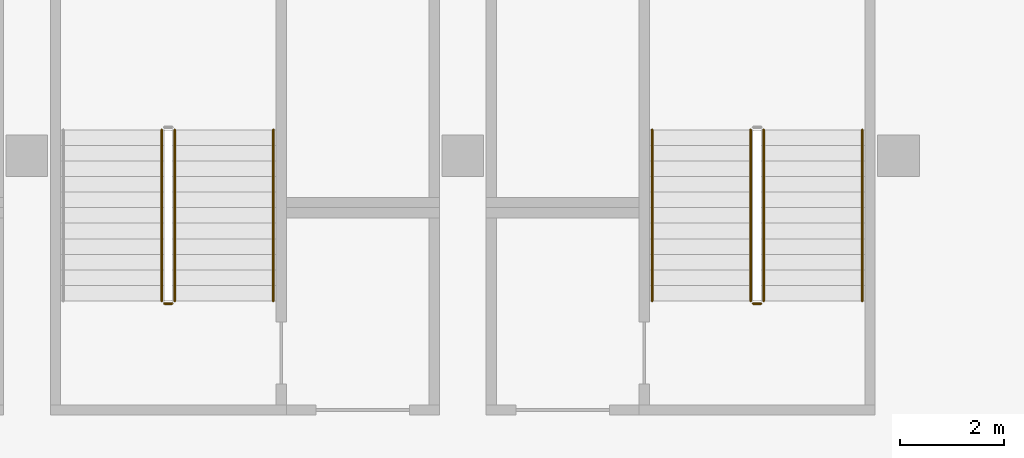
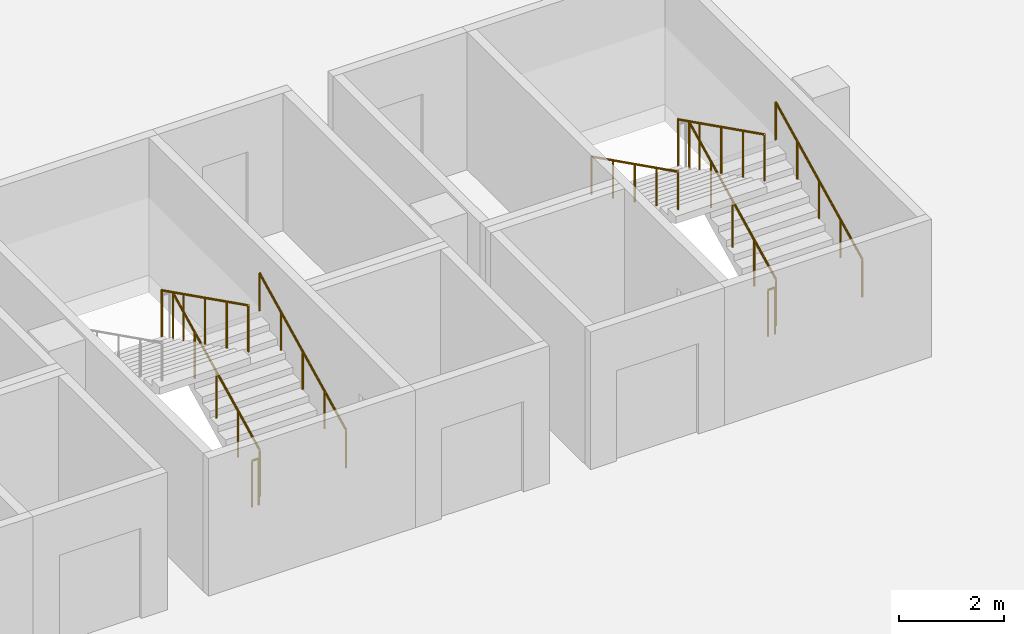
# One storey, part 28 of 37: 9 railings.
"""IFC4 building model written with IfcOpenShell, lengths in metres."""

import ifcopenshell
import ifcopenshell.guid

model = None  # the IFC model being written
_history = None  # IfcOwnerHistory: only IFC2X3 demands one
_inside = {}  # id of a spatial element -> (the spatial element, [elements in it])
_under = {}  # id of a project, library or spatial element -> (it, [spatial elements below it])
_declared = {}  # id of a project -> (the project, [libraries it declares])
_typed = {}  # id of a type object -> (the type object, [elements of that type])
_made_of = {}  # id of a material, layer set ... -> (it, [elements and type objects made of it])


def new_model(schema):
    """Start an empty IFC model of exactly this schema.

    Asked for "IFC4X3", IfcOpenShell would pick the latest addendum, in which some entities
    have other attributes; the version numbers below select the first issue.
    IFC2X3 requires an IfcOwnerHistory on every rooted entity: one is made here for all.
    """
    global model, _history
    if schema == "IFC4X3":
        model = ifcopenshell.file(schema_version=(4, 3, 0, 0))
    else:
        model = ifcopenshell.file(schema=schema)
    _inside.clear()
    _under.clear()
    _declared.clear()
    _typed.clear()
    _made_of.clear()
    _history = None
    if model.schema == "IFC2X3":
        org = make("IfcOrganization", Name="unknown")
        user = make(
            "IfcPersonAndOrganization",
            ThePerson=make("IfcPerson", FamilyName="unknown"),
            TheOrganization=org,
        )
        app = make(
            "IfcApplication",
            ApplicationDeveloper=org,
            Version="unknown",
            ApplicationFullName="unknown",
            ApplicationIdentifier="unknown",
        )
        _history = make(
            "IfcOwnerHistory",
            OwningUser=user,
            OwningApplication=app,
            ChangeAction="ADDED",
            CreationDate=0,
        )
    return model


def make(cls, **values):
    """One entity of the class cls with the attributes given. An attribute that is None is left unset."""
    return model.create_entity(
        cls, **{name: value for name, value in values.items() if value is not None}
    )


def rooted(cls, **values):
    """An entity with a GlobalId (a new one), such as an element, a storey or a relation."""
    return make(cls, GlobalId=ifcopenshell.guid.new(), OwnerHistory=_history, **values)


def si_unit(unit_type, name, prefix=None):
    """IfcSIUnit, for example si_unit("LENGTHUNIT", "METRE", prefix="MILLI")."""
    return make("IfcSIUnit", UnitType=unit_type, Prefix=prefix, Name=name)


def assignment(units):
    """IfcUnitAssignment: the units of a project."""
    return None if units is None else make("IfcUnitAssignment", Units=units)


def point(xyz):
    """IfcCartesianPoint."""
    return None if xyz is None else make("IfcCartesianPoint", Coordinates=xyz)


def direction(xyz):
    """IfcDirection."""
    return None if xyz is None else make("IfcDirection", DirectionRatios=xyz)


def frame(location, z_axis=None, x_axis=None):
    """IfcAxis2Placement3D, a coordinate frame: its origin and axes. An axis left out is left unset."""
    return make(
        "IfcAxis2Placement3D",
        Location=point(location),
        Axis=direction(z_axis),
        RefDirection=direction(x_axis),
    )


def frame_2d(location, x_axis=None):
    """IfcAxis2Placement2D, a coordinate frame in the plane: its origin and x axis."""
    return make(
        "IfcAxis2Placement2D", Location=point(location), RefDirection=direction(x_axis)
    )


def origin():
    """The frame at (0, 0, 0) with its axes left unset."""
    return frame((0.0, 0.0, 0.0))


def origin_2d():
    """The frame at (0, 0) in the plane with its x axis left unset."""
    return frame_2d((0.0, 0.0))


def place(relative_to, where):
    """IfcLocalPlacement: puts the frame where relative to a parent placement (None: the world)."""
    return make(
        "IfcLocalPlacement", PlacementRelTo=relative_to, RelativePlacement=where
    )


def context(
    kind, dimensions, precision=None, world=None, true_north=None, identifier=None
):
    """IfcGeometricRepresentationContext, for example the 3D "Model" context."""
    return make(
        "IfcGeometricRepresentationContext",
        ContextIdentifier=identifier,
        ContextType=kind,
        CoordinateSpaceDimension=dimensions,
        Precision=precision,
        WorldCoordinateSystem=world,
        TrueNorth=true_north,
    )


def subcontext(parent, identifier, kind, view, scale=None):
    """IfcGeometricRepresentationSubContext, for example "Body" below "Model"."""
    return make(
        "IfcGeometricRepresentationSubContext",
        ContextIdentifier=identifier,
        ContextType=kind,
        ParentContext=parent,
        TargetScale=scale,
        TargetView=view,
    )


def project(units=None, contexts=None):
    """IfcProject with its units and contexts."""
    return rooted(
        "IfcProject",
        Name="project",
        RepresentationContexts=contexts,
        UnitsInContext=assignment(units),
    )


def spatial(cls, under=None, at=None, **own):
    """A site, building, storey or space (cls), placed at a placement, below another one or the project."""
    s = rooted(cls, ObjectPlacement=at, **own)
    if under is not None:
        _under.setdefault(under.id(), (under, []))[1].append(s)
    return s


def profile(cls, at=None, kind="AREA", **sizes):
    """A parametric profile (cls). Its sizes go by their IFC names, for example OverallWidth=200.0."""
    return make(cls, ProfileType=kind, Position=at, **sizes)


def circle(**sizes):
    """IfcCircleProfileDef."""
    return profile("IfcCircleProfileDef", **sizes)


def extrude(swept, where, along, depth):
    """IfcExtrudedAreaSolid: the profile swept, set in the frame where, extruded along a direction by depth."""
    return make(
        "IfcExtrudedAreaSolid",
        SweptArea=swept,
        Position=where,
        ExtrudedDirection=direction(along),
        Depth=depth,
    )


def shape(context_of_items, identifier, shape_type, items):
    """IfcShapeRepresentation: the items that make up one representation, for example the "Body"."""
    return make(
        "IfcShapeRepresentation",
        ContextOfItems=context_of_items,
        RepresentationIdentifier=identifier,
        RepresentationType=shape_type,
        Items=items,
    )


def material(Name=None, Category=None):
    """IfcMaterial."""
    return make("IfcMaterial", Name=Name, Category=Category)


def made_of(thing, what):
    """Note that an element or type object is made of a material, layer set ...; save() writes the relation."""
    if what is not None:
        _made_of.setdefault(what.id(), (what, []))[1].append(thing)
    return thing


def type_object(cls, material=None, **own):
    """A type object (cls), such as IfcWallType, which elements share."""
    return made_of(rooted(cls, **own), material)


def element(
    cls,
    number,
    at=None,
    inside=None,
    cuts=None,
    type_object=None,
    material=None,
    context=None,
    identifier="Body",
    shape_type=None,
    held_by="IfcProductDefinitionShape",
    body=None,
    shapes=None,
    **own,
):
    """One element of the class cls, such as IfcWall. Its Tag is "e" and its number.

    at: its placement. inside: the storey or other place that contains it. cuts: it is an
    opening in that element (IfcRelVoidsElement). A single representation is given by context,
    identifier, shape_type and body (its items); several are given by shapes. held_by: the class
    of the entity that holds the representations. save() writes the other relations.
    """
    e = rooted(cls, Tag="e%d" % number, ObjectPlacement=at, **own)
    if body is not None:
        shapes = [shape(context, identifier, shape_type, body)]
    if shapes is not None:
        e.Representation = make(held_by, Representations=shapes)
    if inside is not None:
        _inside.setdefault(inside.id(), (inside, []))[1].append(e)
    if cuts is not None:
        rooted(
            "IfcRelVoidsElement", RelatingBuildingElement=cuts, RelatedOpeningElement=e
        )
    if type_object is not None:
        _typed.setdefault(type_object.id(), (type_object, []))[1].append(e)
    return made_of(e, material)


def aggregate(whole, parts):
    """IfcRelAggregates: a whole, such as a stair, and the parts it consists of."""
    return rooted("IfcRelAggregates", RelatingObject=whole, RelatedObjects=parts)


def save(model, path):
    """Write the relations noted so far, then the file.

    IfcRelAggregates (storeys below a building ...), IfcRelContainedInSpatialStructure (elements
    in a storey), IfcRelDefinesByType, IfcRelAssociatesMaterial and IfcRelDeclares: one each for
    every whole, place, type object, material and project.
    """
    for whole, parts in _under.values():
        aggregate(whole, parts)
    for where, things in _inside.values():
        rooted(
            "IfcRelContainedInSpatialStructure",
            RelatedElements=things,
            RelatingStructure=where,
        )
    for kind, things in _typed.values():
        rooted("IfcRelDefinesByType", RelatedObjects=things, RelatingType=kind)
    for what, things in _made_of.values():
        rooted("IfcRelAssociatesMaterial", RelatedObjects=things, RelatingMaterial=what)
    for by, libraries in _declared.values():
        rooted("IfcRelDeclares", RelatingContext=by, RelatedDefinitions=libraries)
    model.write(path)


model = new_model("IFC4")

# Units and contexts
model_context = context("Model", 3, precision=1e-05, world=origin(), true_north=direction((0.0, 1.0)))
body_context = subcontext(model_context, "Body", "Model", "MODEL_VIEW")
ifc_project = project(units=[si_unit("LENGTHUNIT", "METRE"), si_unit("AREAUNIT", "SQUARE_METRE"), si_unit("VOLUMEUNIT", "CUBIC_METRE"), si_unit("PLANEANGLEUNIT", "RADIAN"), si_unit("MASSUNIT", "GRAM", prefix="KILO")], contexts=[model_context])

# Site, building, storey
site_placement = place(None, origin())
site = spatial("IfcSite", under=ifc_project, at=site_placement, CompositionType="ELEMENT")
building_placement = place(site_placement, origin())
building = spatial("IfcBuilding", under=site, at=building_placement, Name="Tamra Quay Hotel Tower", CompositionType="ELEMENT")
storey_placement = place(building_placement, frame((0.0, 0.0, -7.199951171875)))
storey = spatial("IfcBuildingStorey", under=building, at=storey_placement, Name="B2", CompositionType="ELEMENT", Elevation=-7.199951171875)

# Railings
ifc_material_1 = material(Name="Basement stair guard 1100")
railing_type_1 = type_object("IfcRailingType", Name="Basement stair guard 1100", PredefinedType="GUARDRAIL", material=ifc_material_1)
railing_1_placement = place(storey_placement, frame((-52.64990234375, 45.199951171875, 0.14990234375)))
element("IfcRailing", 1, at=railing_1_placement, inside=storey, type_object=railing_type_1, Name="BSG", PredefinedType="GUARDRAIL", context=body_context, shape_type="SweptSolid", body=[
    extrude(circle(Radius=0.02392578125, at=origin_2d()), frame((0.0, 0.0, 1.076171875), z_axis=(0.0, 0.894413956696, 0.447240063129), x_axis=(-1.0, 0.0, 0.0)), (0.0, 0.0, 1.0), 3.689697265625),
    extrude(circle(Radius=0.02099609375, at=origin_2d()), origin(), (0.0, 0.0, 1.0), 1.052001953125),
    extrude(circle(Radius=0.02099609375, at=origin_2d()), frame((0.0, 0.824951171875, 0.41259765625)), (0.0, 0.0, 1.0), 1.052001953125),
    extrude(circle(Radius=0.02099609375, at=origin_2d()), frame((0.0, 1.64990234375, 0.8251953125)), (0.0, 0.0, 1.0), 1.052001953125),
    extrude(circle(Radius=0.02099609375, at=origin_2d()), frame((0.0, 2.47509765625, 1.237548828125)), (0.0, 0.0, 1.0), 1.052001953125),
    extrude(circle(Radius=0.02099609375, at=origin_2d()), frame((0.0, 3.300048828125, 1.650146484375)), (0.0, 0.0, 1.0), 1.052001953125),
])
railing_2_placement = place(storey_placement, frame((-52.89990234375, 48.5, 1.949951171875)))
element("IfcRailing", 2, at=railing_2_placement, inside=storey, type_object=railing_type_1, Name="BSG", PredefinedType="GUARDRAIL", context=body_context, shape_type="SweptSolid", body=[
    extrude(circle(Radius=0.02392578125, at=origin_2d()), frame((0.0, 0.0, 1.076171875), z_axis=(0.0, -0.894440424912, 0.447187126696), x_axis=(1.0, 0.0, 0.0)), (0.0, 0.0, 1.0), 3.689453125),
    extrude(circle(Radius=0.02099609375, at=origin_2d()), origin(), (0.0, 0.0, 1.0), 1.052001953125),
    extrude(circle(Radius=0.02099609375, at=origin_2d()), frame((0.0, -0.824951171875, 0.41259765625)), (0.0, 0.0, 1.0), 1.052001953125),
    extrude(circle(Radius=0.02099609375, at=origin_2d()), frame((0.0, -1.64990234375, 0.824951171875)), (0.0, 0.0, 1.0), 1.052001953125),
    extrude(circle(Radius=0.02099609375, at=origin_2d()), frame((0.0, -2.47509765625, 1.2373046875)), (0.0, 0.0, 1.0), 1.052001953125),
    extrude(circle(Radius=0.02099609375, at=origin_2d()), frame((0.0, -3.300048828125, 1.64990234375)), (0.0, 0.0, 1.0), 1.052001953125),
])
railing_3_placement = place(storey_placement, frame((-52.699951171875, 45.14990234375, 0.0)))
element("IfcRailing", 3, at=railing_3_placement, inside=storey, type_object=railing_type_1, Name="BSG", PredefinedType="GUARDRAIL", context=body_context, shape_type="SweptSolid", body=[
    extrude(circle(Radius=0.02392578125, at=origin_2d()), frame((0.0, 0.0, 1.076171875), z_axis=(-1.0, 0.0, 0.0), x_axis=(0.0, -1.0, 0.0)), (0.0, 0.0, 1.0), 0.150146484375),
    extrude(circle(Radius=0.02099609375, at=origin_2d()), origin(), (0.0, 0.0, 1.0), 1.052001953125),
    extrude(circle(Radius=0.02099609375, at=origin_2d()), frame((-0.150146484375, 0.0, 0.0)), (0.0, 0.0, 1.0), 1.052001953125),
])
railing_4_placement = place(storey_placement, frame((-41.300048828125, 45.199951171875, 0.14990234375)))
element("IfcRailing", 4, at=railing_4_placement, inside=storey, type_object=railing_type_1, Name="BSG", PredefinedType="GUARDRAIL", context=body_context, shape_type="SweptSolid", body=[
    extrude(circle(Radius=0.02392578125, at=origin_2d()), frame((0.0, 0.0, 1.076171875), z_axis=(0.0, 0.894413956696, 0.447240063129), x_axis=(-1.0, 0.0, 0.0)), (0.0, 0.0, 1.0), 3.689697265625),
    extrude(circle(Radius=0.02099609375, at=origin_2d()), origin(), (0.0, 0.0, 1.0), 1.052001953125),
    extrude(circle(Radius=0.02099609375, at=origin_2d()), frame((0.0, 0.824951171875, 0.41259765625)), (0.0, 0.0, 1.0), 1.052001953125),
    extrude(circle(Radius=0.02099609375, at=origin_2d()), frame((0.0, 1.64990234375, 0.8251953125)), (0.0, 0.0, 1.0), 1.052001953125),
    extrude(circle(Radius=0.02099609375, at=origin_2d()), frame((0.0, 2.47509765625, 1.237548828125)), (0.0, 0.0, 1.0), 1.052001953125),
    extrude(circle(Radius=0.02099609375, at=origin_2d()), frame((0.0, 3.300048828125, 1.650146484375)), (0.0, 0.0, 1.0), 1.052001953125),
])
railing_5_placement = place(storey_placement, frame((-41.550048828125, 48.5, 1.949951171875)))
element("IfcRailing", 5, at=railing_5_placement, inside=storey, type_object=railing_type_1, Name="BSG", PredefinedType="GUARDRAIL", context=body_context, shape_type="SweptSolid", body=[
    extrude(circle(Radius=0.02392578125, at=origin_2d()), frame((0.0, 0.0, 1.076171875), z_axis=(0.0, -0.894440424912, 0.447187126696), x_axis=(1.0, 0.0, 0.0)), (0.0, 0.0, 1.0), 3.689453125),
    extrude(circle(Radius=0.02099609375, at=origin_2d()), origin(), (0.0, 0.0, 1.0), 1.052001953125),
    extrude(circle(Radius=0.02099609375, at=origin_2d()), frame((0.0, -0.824951171875, 0.41259765625)), (0.0, 0.0, 1.0), 1.052001953125),
    extrude(circle(Radius=0.02099609375, at=origin_2d()), frame((0.0, -1.64990234375, 0.824951171875)), (0.0, 0.0, 1.0), 1.052001953125),
    extrude(circle(Radius=0.02099609375, at=origin_2d()), frame((0.0, -2.47509765625, 1.2373046875)), (0.0, 0.0, 1.0), 1.052001953125),
    extrude(circle(Radius=0.02099609375, at=origin_2d()), frame((0.0, -3.300048828125, 1.64990234375)), (0.0, 0.0, 1.0), 1.052001953125),
])
railing_6_placement = place(storey_placement, frame((-41.35009765625, 45.14990234375, 0.0)))
element("IfcRailing", 6, at=railing_6_placement, inside=storey, type_object=railing_type_1, Name="BSG", PredefinedType="GUARDRAIL", context=body_context, shape_type="SweptSolid", body=[
    extrude(circle(Radius=0.02392578125, at=origin_2d()), frame((0.0, 0.0, 1.076171875), z_axis=(-1.0, 0.0, 0.0), x_axis=(0.0, -1.0, 0.0)), (0.0, 0.0, 1.0), 0.14990234375),
    extrude(circle(Radius=0.02099609375, at=origin_2d()), origin(), (0.0, 0.0, 1.0), 1.052001953125),
    extrude(circle(Radius=0.02099609375, at=origin_2d()), frame((-0.14990234375, 0.0, 0.0)), (0.0, 0.0, 1.0), 1.052001953125),
])
ifc_material_2 = material(Name="Basement stair handrail 900")
railing_type_2 = type_object("IfcRailingType", Name="Basement stair handrail 900", PredefinedType="HANDRAIL", material=ifc_material_2)
for number, where, name in (
    (7, (-50.75, 45.199951171875, 0.14990234375), "BSH"),
    (8, (-39.39990234375, 45.199951171875, 0.14990234375), "BSH"),
):
    element("IfcRailing", number, at=place(storey_placement, frame(where)), inside=storey, type_object=railing_type_2, Name=name, PredefinedType="HANDRAIL", context=body_context, shape_type="SweptSolid", body=[
        extrude(circle(Radius=0.02392578125, at=origin_2d()), frame((0.0, 0.0, 0.8759765625), z_axis=(0.0, 0.894413956696, 0.447240063129), x_axis=(-1.0, 0.0, 0.0)), (0.0, 0.0, 1.0), 3.689697265625),
        extrude(circle(Radius=0.02099609375, at=origin_2d()), origin(), (0.0, 0.0, 1.0), 0.851806640625),
        extrude(circle(Radius=0.02099609375, at=origin_2d()), frame((0.0, 0.824951171875, 0.41259765625)), (0.0, 0.0, 1.0), 0.851806640625),
        extrude(circle(Radius=0.02099609375, at=origin_2d()), frame((0.0, 1.64990234375, 0.8251953125)), (0.0, 0.0, 1.0), 0.851806640625),
        extrude(circle(Radius=0.02099609375, at=origin_2d()), frame((0.0, 2.47509765625, 1.237548828125)), (0.0, 0.0, 1.0), 0.851806640625),
        extrude(circle(Radius=0.02099609375, at=origin_2d()), frame((0.0, 3.300048828125, 1.650146484375)), (0.0, 0.0, 1.0), 0.851806640625),
    ])
railing_7_placement = place(storey_placement, frame((-43.449951171875, 48.5, 1.949951171875)))
element("IfcRailing", 9, at=railing_7_placement, inside=storey, type_object=railing_type_2, Name="BSH", PredefinedType="HANDRAIL", context=body_context, shape_type="SweptSolid", body=[
    extrude(circle(Radius=0.02392578125, at=origin_2d()), frame((0.0, 0.0, 0.8759765625), z_axis=(0.0, -0.894440424912, 0.447187126696), x_axis=(1.0, 0.0, 0.0)), (0.0, 0.0, 1.0), 3.689453125),
    extrude(circle(Radius=0.02099609375, at=origin_2d()), origin(), (0.0, 0.0, 1.0), 0.851806640625),
    extrude(circle(Radius=0.02099609375, at=origin_2d()), frame((0.0, -0.824951171875, 0.41259765625)), (0.0, 0.0, 1.0), 0.851806640625),
    extrude(circle(Radius=0.02099609375, at=origin_2d()), frame((0.0, -1.64990234375, 0.824951171875)), (0.0, 0.0, 1.0), 0.851806640625),
    extrude(circle(Radius=0.02099609375, at=origin_2d()), frame((0.0, -2.47509765625, 1.2373046875)), (0.0, 0.0, 1.0), 0.851806640625),
    extrude(circle(Radius=0.02099609375, at=origin_2d()), frame((0.0, -3.300048828125, 1.64990234375)), (0.0, 0.0, 1.0), 0.851806640625),
])

save(model, "model.ifc")
